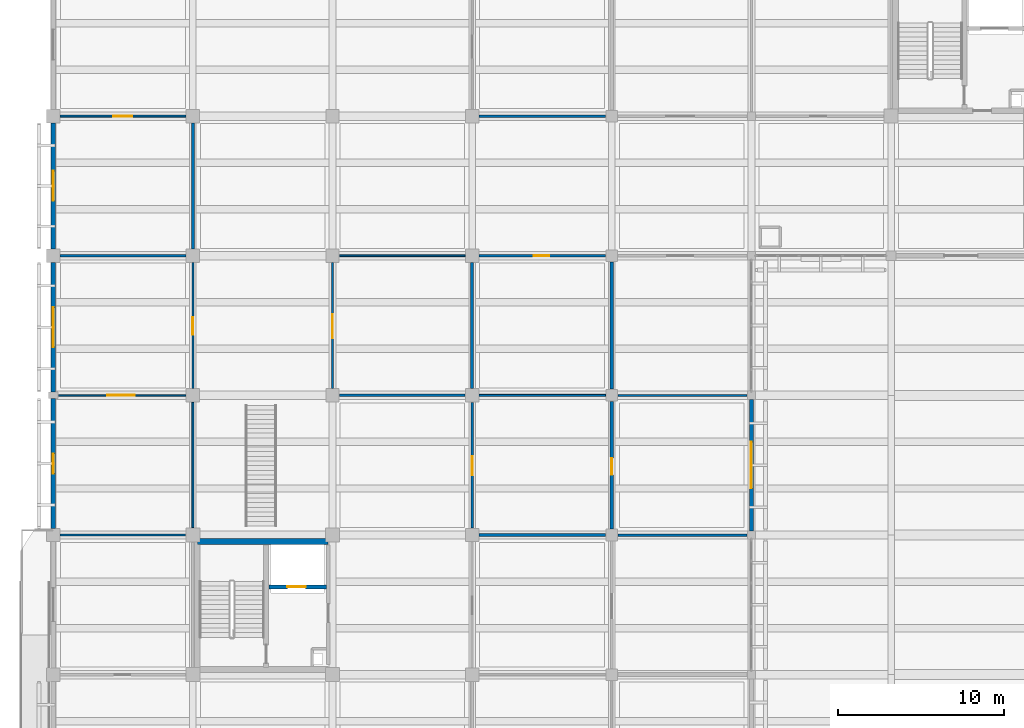
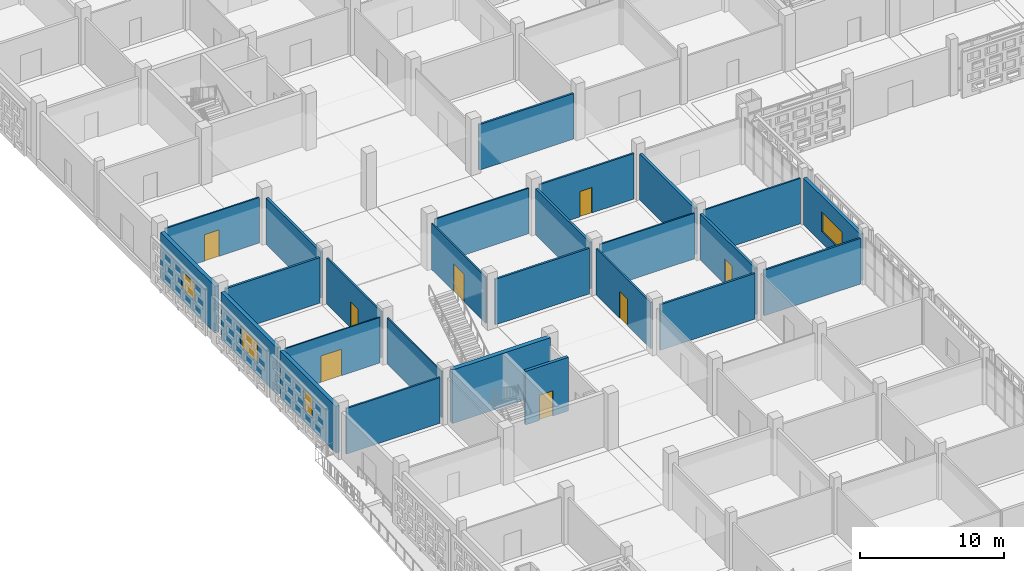
# One storey, part 62 of 129: 26 walls, 8 doors, 4 windows, 12 openings.
"""IFC4 building model written with IfcOpenShell, lengths in metres."""

from ifc_helpers import new_model, si_unit, direction, frame, frame_2d, origin, place, context, subcontext, project, spatial, rectangle, extrude, material, layer, layer_set, type_object, element, fill, save


model = new_model("IFC4")

# Units and contexts
model_context = context("Model", 3, precision=1e-05, world=origin(), true_north=direction((0.0, 1.0)))
body_context = subcontext(model_context, "Body", "Model", "MODEL_VIEW")
ifc_project = project(units=[si_unit("LENGTHUNIT", "METRE"), si_unit("AREAUNIT", "SQUARE_METRE"), si_unit("VOLUMEUNIT", "CUBIC_METRE"), si_unit("PLANEANGLEUNIT", "RADIAN"), si_unit("MASSUNIT", "GRAM", prefix="KILO")], contexts=[model_context])

# Site, building, storey
site_placement = place(None, origin())
site = spatial("IfcSite", under=ifc_project, at=site_placement, CompositionType="ELEMENT")
building_placement = place(site_placement, origin())
building = spatial("IfcBuilding", under=site, at=building_placement, Name="Varnapada Polytechnic", CompositionType="ELEMENT")
storey_placement = place(building_placement, origin())
storey = spatial("IfcBuildingStorey", under=building, at=storey_placement, Name="L00", CompositionType="ELEMENT", Elevation=0.0)

# Walls
ifc_material_1 = material(Name="Autoclaved Aerated Concrete Block AAC-600", Category="concrete")
ifc_layer_1 = layer(ifc_material_1, 0.14990234375)
ifc_layer_set_1 = layer_set([ifc_layer_1], Name="Autoclaved Aerated Concrete Block AAC-600")
wall_type_1 = type_object("IfcWallType", Name="Interior Wall IW-02", PredefinedType="PARTITIONING", material=ifc_layer_set_1)
wall_1_placement = place(storey_placement, frame((33.969970703125, 67.199951171875, 0.0), z_axis=(0.0, 0.0, 1.0), x_axis=(1.0, 0.0, 0.0)))
element("IfcWall", 1, at=wall_1_placement, inside=storey, type_object=wall_type_1, Name="L00 interior partition IW-L00-04-07-H", PredefinedType="PARTITIONING", context=body_context, shape_type="SweptSolid", body=[
    extrude(rectangle(XDim=7.760009765625, YDim=0.14990234375, at=frame_2d((3.8798828125, 0.0))), origin(), (0.0, 0.0, 1.0), 3.8701171875),
])
ifc_material_2 = material(Name="Gypsum Plasterboard Acoustic Partition")
ifc_layer_2 = layer(ifc_material_2, 0.125)
ifc_layer_set_2 = layer_set([ifc_layer_2], Name="Gypsum Plasterboard Acoustic Partition")
wall_type_2 = type_object("IfcWallType", Name="Interior Wall IW-03", PredefinedType="PARTITIONING", material=ifc_layer_set_2)
wall_2_placement = place(storey_placement, frame((33.969970703125, 75.60009765625, 0.0), z_axis=(0.0, 0.0, 1.0), x_axis=(1.0, 0.0, 0.0)))
element("IfcWall", 2, at=wall_2_placement, inside=storey, type_object=wall_type_2, Name="L00 interior partition IW-L00-04-08-H", PredefinedType="PARTITIONING", context=body_context, shape_type="SweptSolid", body=[
    extrude(rectangle(XDim=7.760009765625, YDim=0.125, at=frame_2d((3.8798828125, 0.0))), origin(), (0.0, 0.0, 1.0), 3.8701171875),
])
ifc_material_3 = material(Name="Moisture-Resistant Cement Board Partition")
ifc_layer_3 = layer(ifc_material_3, 0.139892578125)
ifc_layer_set_3 = layer_set([ifc_layer_3], Name="Moisture-Resistant Cement Board Partition")
wall_type_3 = type_object("IfcWallType", Name="Interior Wall IW-04", PredefinedType="PARTITIONING", material=ifc_layer_set_3)
wall_3_placement = place(storey_placement, frame((0.419921875, 67.199951171875, 0.0), z_axis=(0.0, 0.0, 1.0), x_axis=(1.0, 0.0, 0.0)))
element("IfcWall", 3, at=wall_3_placement, inside=storey, type_object=wall_type_3, Name="L00 interior partition IW-L00-00-07-H", PredefinedType="PARTITIONING", context=body_context, shape_type="SweptSolid", body=[
    extrude(rectangle(XDim=7.53515625, YDim=0.139892578125, at=frame_2d((3.767578125, 0.0))), origin(), (0.0, 0.0, 1.0), 3.8701171875),
])

# Wall, opening, door
wall_4_placement = place(storey_placement, frame((25.199951171875, 67.6201171875, 0.0), z_axis=(0.0, 0.0, 1.0), x_axis=(0.0, 1.0, 0.0)))
wall_4 = element("IfcWall", 4, at=wall_4_placement, inside=storey, type_object=wall_type_3, Name="L00 interior partition IW-L00-02-08-V", PredefinedType="PARTITIONING", context=body_context, shape_type="SweptSolid", body=[
    extrude(rectangle(XDim=7.559814453125, YDim=0.139892578125, at=frame_2d((3.77978515625, 0.0))), origin(), (0.0, 0.0, 1.0), 3.919921875),
])
opening_1_placement = place(wall_4_placement, frame((3.175048828125, 0.0, 0.0)))
opening_1 = element("IfcOpeningElement", 5, at=opening_1_placement, cuts=wall_4, Name="Opening D-841", PredefinedType="OPENING", context=body_context, shape_type="SweptSolid", body=[
    extrude(rectangle(XDim=1.14990234375, YDim=2.25, at=frame_2d((0.574951171875, 1.125))), frame((0.0, 0.079833984375, 0.0), z_axis=(0.0, -1.0, 0.0), x_axis=(1.0, 0.0, 0.0)), (0.0, 0.0, 1.0), 0.159912109375),
])
ifc_material_4 = material(Name="Powder-Coated Aluminium 6063-T6", Category="aluminium")
door_type_1 = type_object("IfcDoorType", Name="Interior Door ID-10", OperationType="NOTDEFINED", PredefinedType="DOOR", material=ifc_material_4)
door_1_placement = place(opening_1_placement, origin())
door_1 = element("IfcDoor", 6, at=door_1_placement, inside=storey, type_object=door_type_1, Name="L00 interior room door D-841", OperationType="SINGLE_SWING_RIGHT", OverallHeight=2.25, OverallWidth=1.14990234375, PredefinedType="DOOR", context=body_context, shape_type="SweptSolid", body=[
    extrude(rectangle(XDim=1.14990234375, YDim=2.25, at=frame_2d((0.574951171875, 1.125))), frame((0.0, 0.02490234375, 0.0), z_axis=(0.0, -1.0, 0.0), x_axis=(1.0, 0.0, 0.0)), (0.0, 0.0, 1.0), 0.050048828125),
])
fill(opening_1, door_1)

# Walls
ifc_material_5 = material(Name="Cross-laminated timber CLT C24", Category="wood")
ifc_layer_4 = layer(ifc_material_5, 0.159912109375)
ifc_layer_set_4 = layer_set([ifc_layer_4], Name="Cross-laminated timber CLT C24")
wall_type_4 = type_object("IfcWallType", Name="Interior Wall IW-05", PredefinedType="PARTITIONING", material=ifc_layer_set_4)
wall_5_placement = place(storey_placement, frame((17.219970703125, 75.60009765625, 0.0), z_axis=(0.0, 0.0, 1.0), x_axis=(1.0, 0.0, 0.0)))
element("IfcWall", 7, at=wall_5_placement, inside=storey, type_object=wall_type_4, Name="L00 interior partition IW-L00-02-08-H", PredefinedType="PARTITIONING", context=body_context, shape_type="SweptSolid", body=[
    extrude(rectangle(XDim=7.56005859375, YDim=0.159912109375, at=frame_2d((3.780029296875, 0.0))), origin(), (0.0, 0.0, 1.0), 3.8701171875),
])
ifc_material_6 = material(Name="Acoustic Double-Stud Studio Partition")
ifc_layer_5 = layer(ifc_material_6, 0.179931640625)
ifc_layer_set_5 = layer_set([ifc_layer_5], Name="Acoustic Double-Stud Studio Partition")
wall_type_5 = type_object("IfcWallType", Name="Interior Wall IW-06", PredefinedType="PARTITIONING", material=ifc_layer_set_5)
wall_6_placement = place(storey_placement, frame((25.199951171875, 76.02001953125, 0.0), z_axis=(0.0, 0.0, 1.0), x_axis=(0.0, 1.0, 0.0)))
element("IfcWall", 8, at=wall_6_placement, inside=storey, type_object=wall_type_5, Name="L00 interior partition IW-L00-02-09-V", PredefinedType="PARTITIONING", context=body_context, shape_type="SweptSolid", body=[
    extrude(rectangle(XDim=7.56005859375, YDim=0.179931640625, at=frame_2d((3.780029296875, 0.0))), origin(), (0.0, 0.0, 1.0), 3.919921875),
])
ifc_material_7 = material(Name="Glazed Timber-Framed Studio Screen", Category="wood")
ifc_layer_6 = layer(ifc_material_7, 0.110107421875)
ifc_layer_set_6 = layer_set([ifc_layer_6], Name="Glazed Timber-Framed Studio Screen")
wall_type_6 = type_object("IfcWallType", Name="Interior Wall IW-07", PredefinedType="PARTITIONING", material=ifc_layer_set_6)
wall_7_placement = place(storey_placement, frame((8.39990234375, 67.64501953125, 0.0), z_axis=(0.0, 0.0, 1.0), x_axis=(0.0, 1.0, 0.0)))
element("IfcWall", 9, at=wall_7_placement, inside=storey, type_object=wall_type_6, Name="L00 interior partition IW-L00-00-08-V", PredefinedType="PARTITIONING", context=body_context, shape_type="SweptSolid", body=[
    extrude(rectangle(XDim=7.534912109375, YDim=0.110107421875, at=frame_2d((3.767578125, 0.0))), origin(), (0.0, 0.0, 1.0), 3.919921875),
])

# Wall, opening, door
wall_8_placement = place(storey_placement, frame((16.800048828125, 76.02001953125, 0.0), z_axis=(0.0, 0.0, 1.0), x_axis=(0.0, 1.0, 0.0)))
wall_8 = element("IfcWall", 10, at=wall_8_placement, inside=storey, type_object=wall_type_6, Name="L00 interior partition IW-L00-01-09-V", PredefinedType="PARTITIONING", context=body_context, shape_type="SweptSolid", body=[
    extrude(rectangle(XDim=7.56005859375, YDim=0.110107421875, at=frame_2d((3.780029296875, 0.0))), origin(), (0.0, 0.0, 1.0), 3.919921875),
])
opening_2_placement = place(wall_8_placement, frame((3.02490234375, 0.0, 0.0)))
opening_2 = element("IfcOpeningElement", 11, at=opening_2_placement, cuts=wall_8, Name="Opening D-832", PredefinedType="OPENING", context=body_context, shape_type="SweptSolid", body=[
    extrude(rectangle(XDim=1.449951171875, YDim=2.35009765625, at=frame_2d((0.72509765625, 1.175048828125))), frame((0.0, 0.06494140625, 0.0), z_axis=(0.0, -1.0, 0.0), x_axis=(1.0, 0.0, 0.0)), (0.0, 0.0, 1.0), 0.130126953125),
])
ifc_material_8 = material(Name="Galvanized Steel Z275", Category="steel")
door_type_2 = type_object("IfcDoorType", Name="Interior Door ID-18", OperationType="NOTDEFINED", PredefinedType="DOOR", material=ifc_material_8)
door_2_placement = place(opening_2_placement, origin())
door_2 = element("IfcDoor", 12, at=door_2_placement, inside=storey, type_object=door_type_2, Name="L00 interior room door D-832", OperationType="SINGLE_SWING_LEFT", OverallHeight=2.35009765625, OverallWidth=1.449951171875, PredefinedType="DOOR", context=body_context, shape_type="SweptSolid", body=[
    extrude(rectangle(XDim=1.449951171875, YDim=2.35009765625, at=frame_2d((0.72509765625, 1.175048828125))), frame((0.0, 0.02490234375, 0.0), z_axis=(0.0, -1.0, 0.0), x_axis=(1.0, 0.0, 0.0)), (0.0, 0.0, 1.0), 0.050048828125),
])
fill(opening_2, door_2)

# Wall
wall_9_placement = place(storey_placement, frame((17.219970703125, 84.0, 0.0), z_axis=(0.0, 0.0, 1.0), x_axis=(1.0, 0.0, 0.0)))
element("IfcWall", 13, at=wall_9_placement, inside=storey, type_object=wall_type_6, Name="L00 interior partition IW-L00-02-09-H", PredefinedType="PARTITIONING", context=body_context, shape_type="SweptSolid", body=[
    extrude(rectangle(XDim=7.56005859375, YDim=0.110107421875, at=frame_2d((3.780029296875, 0.0))), origin(), (0.0, 0.0, 1.0), 3.8701171875),
])

# Wall, opening, door
ifc_material_9 = material(Name="Operable Acoustic Seminar Partition")
ifc_layer_7 = layer(ifc_material_9, 0.10009765625)
ifc_layer_set_7 = layer_set([ifc_layer_7], Name="Operable Acoustic Seminar Partition")
wall_type_7 = type_object("IfcWallType", Name="Interior Wall IW-08", PredefinedType="MOVABLE", material=ifc_layer_set_7)
wall_10_placement = place(storey_placement, frame((0.320068359375, 75.60009765625, 0.0), z_axis=(0.0, 0.0, 1.0), x_axis=(1.0, 0.0, 0.0)))
wall_10 = element("IfcWall", 14, at=wall_10_placement, inside=storey, type_object=wall_type_7, Name="L00 interior partition IW-L00-00-08-H", PredefinedType="MOVABLE", context=body_context, shape_type="SweptSolid", body=[
    extrude(rectangle(XDim=7.659912109375, YDim=0.10009765625, at=frame_2d((3.830078125, 0.0))), origin(), (0.0, 0.0, 1.0), 3.8701171875),
])
opening_3_placement = place(wall_10_placement, frame((2.925048828125, 0.0, 0.0)))
opening_3 = element("IfcOpeningElement", 15, at=opening_3_placement, cuts=wall_10, Name="Opening D-822", PredefinedType="OPENING", context=body_context, shape_type="SweptSolid", body=[
    extrude(rectangle(XDim=1.64990234375, YDim=2.25, at=frame_2d((0.824951171875, 1.125))), frame((0.0, 0.06005859375, 0.0), z_axis=(0.0, -1.0, 0.0), x_axis=(1.0, 0.0, 0.0)), (0.0, 0.0, 1.0), 0.1201171875),
])
ifc_material_10 = material(Name="Solid Teak Hardwood Timber", Category="wood")
door_type_3 = type_object("IfcDoorType", Name="Interior Door ID-08", OperationType="NOTDEFINED", PredefinedType="DOOR", material=ifc_material_10)
door_3_placement = place(opening_3_placement, origin())
door_3 = element("IfcDoor", 16, at=door_3_placement, inside=storey, type_object=door_type_3, Name="L00 interior room door D-822", OperationType="SINGLE_SWING_LEFT", OverallHeight=2.25, OverallWidth=1.64990234375, PredefinedType="DOOR", context=body_context, shape_type="SweptSolid", body=[
    extrude(rectangle(XDim=1.64990234375, YDim=2.25, at=frame_2d((0.824951171875, 1.125))), frame((0.0, 0.02490234375, 0.0), z_axis=(0.0, -1.0, 0.0), x_axis=(1.0, 0.0, 0.0)), (0.0, 0.0, 1.0), 0.050048828125),
])
fill(opening_3, door_3)

ifc_material_11 = material(Name="Calcium Silicate Acoustic Lab Partition")
ifc_layer_8 = layer(ifc_material_11, 0.135009765625)
ifc_layer_set_8 = layer_set([ifc_layer_8], Name="Calcium Silicate Acoustic Lab Partition")
wall_type_8 = type_object("IfcWallType", Name="Interior Wall IW-09", PredefinedType="PARTITIONING", material=ifc_layer_set_8)
wall_11_placement = place(storey_placement, frame((8.39990234375, 76.02001953125, 0.0), z_axis=(0.0, 0.0, 1.0), x_axis=(0.0, 1.0, 0.0)))
wall_11 = element("IfcWall", 17, at=wall_11_placement, inside=storey, type_object=wall_type_8, Name="L00 interior partition IW-L00-00-09-V", PredefinedType="PARTITIONING", context=body_context, shape_type="SweptSolid", body=[
    extrude(rectangle(XDim=7.56005859375, YDim=0.135009765625, at=frame_2d((3.780029296875, 0.0))), origin(), (0.0, 0.0, 1.0), 3.919921875),
])
opening_4_placement = place(wall_11_placement, frame((3.22509765625, 0.0, 0.0)))
opening_4 = element("IfcOpeningElement", 18, at=opening_4_placement, cuts=wall_11, Name="Opening D-823", PredefinedType="OPENING", context=body_context, shape_type="SweptSolid", body=[
    extrude(rectangle(XDim=1.050048828125, YDim=2.199951171875, at=frame_2d((0.52490234375, 1.10009765625))), frame((0.0, 0.077392578125, 0.0), z_axis=(0.0, -1.0, 0.0), x_axis=(1.0, 0.0, 0.0)), (0.0, 0.0, 1.0), 0.155029296875),
])
door_type_4 = type_object("IfcDoorType", Name="Interior Door ID-09", OperationType="NOTDEFINED", PredefinedType="DOOR", material=ifc_material_10)
door_4_placement = place(opening_4_placement, origin())
door_4 = element("IfcDoor", 19, at=door_4_placement, inside=storey, type_object=door_type_4, Name="L00 interior room door D-823", OperationType="SINGLE_SWING_RIGHT", OverallHeight=2.199951171875, OverallWidth=1.050048828125, PredefinedType="DOOR", context=body_context, shape_type="SweptSolid", body=[
    extrude(rectangle(XDim=1.050048828125, YDim=2.199951171875, at=frame_2d((0.52490234375, 1.10009765625))), frame((0.0, 0.02490234375, 0.0), z_axis=(0.0, -1.0, 0.0), x_axis=(1.0, 0.0, 0.0)), (0.0, 0.0, 1.0), 0.050048828125),
])
fill(opening_4, door_4)

# Walls
ifc_material_12 = material(Name="Double-Layer Fireboard Workshop Wall")
ifc_layer_9 = layer(ifc_material_12, 0.169921875)
ifc_layer_set_9 = layer_set([ifc_layer_9], Name="Double-Layer Fireboard Workshop Wall")
wall_type_9 = type_object("IfcWallType", Name="Interior Wall IW-10", PredefinedType="PARTITIONING", material=ifc_layer_set_9)
wall_12_placement = place(storey_placement, frame((0.419921875, 84.0, 0.0), z_axis=(0.0, 0.0, 1.0), x_axis=(1.0, 0.0, 0.0)))
element("IfcWall", 20, at=wall_12_placement, inside=storey, type_object=wall_type_9, Name="L00 interior partition IW-L00-00-09-H", PredefinedType="PARTITIONING", context=body_context, shape_type="SweptSolid", body=[
    extrude(rectangle(XDim=7.56005859375, YDim=0.169921875, at=frame_2d((3.780029296875, 0.0))), origin(), (0.0, 0.0, 1.0), 3.8701171875),
])
wall_13_placement = place(storey_placement, frame((25.6201171875, 67.199951171875, 0.0), z_axis=(0.0, 0.0, 1.0), x_axis=(1.0, 0.0, 0.0)))
element("IfcWall", 21, at=wall_13_placement, inside=storey, type_object=wall_type_9, Name="L00 interior partition IW-L00-03-07-H", PredefinedType="PARTITIONING", context=body_context, shape_type="SweptSolid", body=[
    extrude(rectangle(XDim=7.60986328125, YDim=0.169921875, at=frame_2d((3.804931640625, 0.0))), origin(), (0.0, 0.0, 1.0), 3.8701171875),
])
ifc_material_13 = material(Name="Insulated Masonry Plant Room Wall", Category="masonry")
ifc_layer_10 = layer(ifc_material_13, 0.18994140625)
ifc_layer_set_10 = layer_set([ifc_layer_10], Name="Insulated Masonry Plant Room Wall")
wall_type_10 = type_object("IfcWallType", Name="Interior Wall IW-11", PredefinedType="PARTITIONING", material=ifc_layer_set_10)
wall_14_placement = place(storey_placement, frame((8.39990234375, 84.419921875, 0.0), z_axis=(0.0, 0.0, 1.0), x_axis=(0.0, 1.0, 0.0)))
element("IfcWall", 22, at=wall_14_placement, inside=storey, type_object=wall_type_10, Name="L00 interior partition IW-L00-00-10-V", PredefinedType="PARTITIONING", context=body_context, shape_type="SweptSolid", body=[
    extrude(rectangle(XDim=7.56005859375, YDim=0.18994140625, at=frame_2d((3.780029296875, 0.0))), origin(), (0.0, 0.0, 1.0), 3.919921875),
])

# Wall, opening, door
wall_15_placement = place(storey_placement, frame((33.60009765625, 67.570068359375, 0.0), z_axis=(0.0, 0.0, 1.0), x_axis=(0.0, 1.0, 0.0)))
wall_15 = element("IfcWall", 23, at=wall_15_placement, inside=storey, type_object=wall_type_10, Name="L00 interior partition IW-L00-03-08-V", PredefinedType="PARTITIONING", context=body_context, shape_type="SweptSolid", body=[
    extrude(rectangle(XDim=7.659912109375, YDim=0.18994140625, at=frame_2d((3.830078125, 0.0))), origin(), (0.0, 0.0, 1.0), 3.919921875),
])
opening_5_placement = place(wall_15_placement, frame((3.25, 0.0, 0.0)))
opening_5 = element("IfcOpeningElement", 24, at=opening_5_placement, cuts=wall_15, Name="Opening D-850", PredefinedType="OPENING", context=body_context, shape_type="SweptSolid", body=[
    extrude(rectangle(XDim=1.0, YDim=2.14990234375, at=frame_2d((0.5, 1.074951171875))), frame((0.0, 0.10498046875, 0.0), z_axis=(0.0, -1.0, 0.0), x_axis=(1.0, 0.0, 0.0)), (0.0, 0.0, 1.0), 0.2099609375),
])
door_type_5 = type_object("IfcDoorType", Name="Interior Door ID-02", OperationType="NOTDEFINED", PredefinedType="DOOR", material=ifc_material_10)
door_5_placement = place(opening_5_placement, origin())
door_5 = element("IfcDoor", 25, at=door_5_placement, inside=storey, type_object=door_type_5, Name="L00 interior room door D-850", OperationType="SINGLE_SWING_LEFT", OverallHeight=2.14990234375, OverallWidth=1.0, PredefinedType="DOOR", context=body_context, shape_type="SweptSolid", body=[
    extrude(rectangle(XDim=1.0, YDim=2.14990234375, at=frame_2d((0.5, 1.074951171875))), frame((0.0, 0.02490234375, 0.0), z_axis=(0.0, -1.0, 0.0), x_axis=(1.0, 0.0, 0.0)), (0.0, 0.0, 1.0), 0.050048828125),
])
fill(opening_5, door_5)

ifc_material_14 = material(Name="Timber-Stud Studio Critique Partition", Category="wood")
ifc_layer_11 = layer(ifc_material_14, 0.114990234375)
ifc_layer_set_11 = layer_set([ifc_layer_11], Name="Timber-Stud Studio Critique Partition")
wall_type_11 = type_object("IfcWallType", Name="Interior Wall IW-12", PredefinedType="PARTITIONING", material=ifc_layer_set_11)
wall_16_placement = place(storey_placement, frame((0.419921875, 92.39990234375, 0.0), z_axis=(0.0, 0.0, 1.0), x_axis=(1.0, 0.0, 0.0)))
wall_16 = element("IfcWall", 26, at=wall_16_placement, inside=storey, type_object=wall_type_11, Name="L00 interior partition IW-L00-00-10-H", PredefinedType="PARTITIONING", context=body_context, shape_type="SweptSolid", body=[
    extrude(rectangle(XDim=7.56005859375, YDim=0.114990234375, at=frame_2d((3.780029296875, 0.0))), origin(), (0.0, 0.0, 1.0), 3.8701171875),
])
opening_6_placement = place(wall_16_placement, frame((3.175048828125, 0.0, 0.0)))
opening_6 = element("IfcOpeningElement", 27, at=opening_6_placement, cuts=wall_16, Name="Opening D-824", PredefinedType="OPENING", context=body_context, shape_type="SweptSolid", body=[
    extrude(rectangle(XDim=1.14990234375, YDim=2.25, at=frame_2d((0.574951171875, 1.125))), frame((0.0, 0.0673828125, 0.0), z_axis=(0.0, -1.0, 0.0), x_axis=(1.0, 0.0, 0.0)), (0.0, 0.0, 1.0), 0.135009765625),
])
door_6_placement = place(opening_6_placement, frame((1.14990234375, 0.0, 0.0), z_axis=(0.0, 0.0, 1.0), x_axis=(-1.0, 0.0, 0.0)))
door_6 = element("IfcDoor", 28, at=door_6_placement, inside=storey, type_object=door_type_1, Name="L00 interior room door D-824", OperationType="SINGLE_SWING_LEFT", OverallHeight=2.25, OverallWidth=1.14990234375, PredefinedType="DOOR", context=body_context, shape_type="SweptSolid", body=[
    extrude(rectangle(XDim=1.14990234375, YDim=2.25, at=frame_2d((0.574951171875, 1.125))), frame((0.0, 0.02490234375, 0.0), z_axis=(0.0, -1.0, 0.0), x_axis=(1.0, 0.0, 0.0)), (0.0, 0.0, 1.0), 0.050048828125),
])
fill(opening_6, door_6)

# Walls
wall_17_placement = place(storey_placement, frame((25.6201171875, 75.60009765625, 0.0), z_axis=(0.0, 0.0, 1.0), x_axis=(1.0, 0.0, 0.0)))
element("IfcWall", 29, at=wall_17_placement, inside=storey, type_object=wall_type_11, Name="L00 interior partition IW-L00-03-08-H", PredefinedType="PARTITIONING", context=body_context, shape_type="SweptSolid", body=[
    extrude(rectangle(XDim=7.60986328125, YDim=0.114990234375, at=frame_2d((3.804931640625, 0.0))), origin(), (0.0, 0.0, 1.0), 3.8701171875),
])
ifc_material_15 = material(Name="Heavy Acoustic Auditorium Baffle Wall")
ifc_layer_12 = layer(ifc_material_15, 0.219970703125)
ifc_layer_set_12 = layer_set([ifc_layer_12], Name="Heavy Acoustic Auditorium Baffle Wall")
wall_type_12 = type_object("IfcWallType", Name="Interior Wall IW-13", PredefinedType="PARTITIONING", material=ifc_layer_set_12)
wall_18_placement = place(storey_placement, frame((33.60009765625, 75.969970703125, 0.0), z_axis=(0.0, 0.0, 1.0), x_axis=(0.0, 1.0, 0.0)))
element("IfcWall", 30, at=wall_18_placement, inside=storey, type_object=wall_type_12, Name="L00 interior partition IW-L00-03-09-V", PredefinedType="PARTITIONING", context=body_context, shape_type="SweptSolid", body=[
    extrude(rectangle(XDim=7.659912109375, YDim=0.219970703125, at=frame_2d((3.830078125, 0.0))), origin(), (0.0, 0.0, 1.0), 3.919921875),
])

# Wall, opening, door
ifc_material_16 = material(Name="Ceramic-Tiled Wet Laboratory Wall")
ifc_layer_13 = layer(ifc_material_16, 0.14501953125)
ifc_layer_set_13 = layer_set([ifc_layer_13], Name="Ceramic-Tiled Wet Laboratory Wall")
wall_type_13 = type_object("IfcWallType", Name="Interior Wall IW-14", PredefinedType="PARTITIONING", material=ifc_layer_set_13)
wall_19_placement = place(storey_placement, frame((25.6201171875, 84.0, 0.0), z_axis=(0.0, 0.0, 1.0), x_axis=(1.0, 0.0, 0.0)))
wall_19 = element("IfcWall", 31, at=wall_19_placement, inside=storey, type_object=wall_type_13, Name="L00 interior partition IW-L00-03-09-H", PredefinedType="PARTITIONING", context=body_context, shape_type="SweptSolid", body=[
    extrude(rectangle(XDim=7.60986328125, YDim=0.14501953125, at=frame_2d((3.804931640625, 0.0))), origin(), (0.0, 0.0, 1.0), 3.8701171875),
])
opening_7_placement = place(wall_19_placement, frame((3.27490234375, 0.0, 0.0)))
opening_7 = element("IfcOpeningElement", 32, at=opening_7_placement, cuts=wall_19, Name="Opening D-851", PredefinedType="OPENING", context=body_context, shape_type="SweptSolid", body=[
    extrude(rectangle(XDim=0.949951171875, YDim=2.14990234375, at=frame_2d((0.47509765625, 1.074951171875))), frame((0.0, 0.08251953125, 0.0), z_axis=(0.0, -1.0, 0.0), x_axis=(1.0, 0.0, 0.0)), (0.0, 0.0, 1.0), 0.1650390625),
])
ifc_material_17 = material(Name="Moisture-Resistant HPL Timber", Category="wood")
door_type_6 = type_object("IfcDoorType", Name="Interior Door ID-03", OperationType="NOTDEFINED", PredefinedType="DOOR", material=ifc_material_17)
door_7_placement = place(opening_7_placement, frame((0.949951171875, 0.0, 0.0), z_axis=(0.0, 0.0, 1.0), x_axis=(-1.0, 0.0, 0.0)))
door_7 = element("IfcDoor", 33, at=door_7_placement, inside=storey, type_object=door_type_6, Name="L00 interior room door D-851", OperationType="SINGLE_SWING_RIGHT", OverallHeight=2.14990234375, OverallWidth=0.949951171875, PredefinedType="DOOR", context=body_context, shape_type="SweptSolid", body=[
    extrude(rectangle(XDim=0.949951171875, YDim=2.14990234375, at=frame_2d((0.47509765625, 1.074951171875))), frame((0.0, 0.02490234375, 0.0), z_axis=(0.0, -1.0, 0.0), x_axis=(1.0, 0.0, 0.0)), (0.0, 0.0, 1.0), 0.050048828125),
])
fill(opening_7, door_7)

# Walls
ifc_material_18 = material(Name="Perforated Timber-Lined Seminar Wall", Category="wood")
ifc_layer_14 = layer(ifc_material_18, 0.155029296875)
ifc_layer_set_14 = layer_set([ifc_layer_14], Name="Perforated Timber-Lined Seminar Wall")
wall_type_14 = type_object("IfcWallType", Name="Interior Wall IW-15", PredefinedType="PARTITIONING", material=ifc_layer_set_14)
wall_20_placement = place(storey_placement, frame((25.6201171875, 92.39990234375, 0.0), z_axis=(0.0, 0.0, 1.0), x_axis=(1.0, 0.0, 0.0)))
element("IfcWall", 34, at=wall_20_placement, inside=storey, type_object=wall_type_14, Name="L00 interior partition IW-L00-03-10-H", PredefinedType="PARTITIONING", context=body_context, shape_type="SweptSolid", body=[
    extrude(rectangle(XDim=7.60986328125, YDim=0.155029296875, at=frame_2d((3.804931640625, 0.0))), origin(), (0.0, 0.0, 1.0), 3.8701171875),
])
ifc_material_19 = material(Name="Concrete C40/50", Category="concrete")
ifc_layer_15 = layer(ifc_material_19, 0.35009765625)
ifc_layer_set_15 = layer_set([ifc_layer_15], Name="Concrete C40/50")
wall_type_15 = type_object("IfcWallType", Name="Interior Wall SW-01", PredefinedType="SHEAR", material=ifc_layer_set_15)
wall_21_placement = place(storey_placement, frame((8.6650390625, 66.820068359375, 0.0), z_axis=(0.0, 0.0, 1.0), x_axis=(1.0, 0.0, 0.0)))
element("IfcWall", 35, at=wall_21_placement, inside=storey, type_object=wall_type_15, Name="L00 C2 core north shear wall", PredefinedType="SHEAR", context=body_context, shape_type="SweptSolid", body=[
    extrude(rectangle(XDim=7.875, YDim=0.35009765625, at=frame_2d((3.9375, 0.0))), origin(), (0.0, 0.0, 1.0), 4.550048828125),
])

# Wall, opening, door
ifc_layer_16 = layer(ifc_material_19, 0.25)
ifc_layer_set_16 = layer_set([ifc_layer_16], Name="Concrete C40/50")
wall_type_16 = type_object("IfcWallType", Name="Interior Wall SW-05", PredefinedType="SHEAR", material=ifc_layer_set_16)
wall_22_placement = place(storey_placement, frame((12.97998046875, 64.080078125, 0.0), z_axis=(0.0, 0.0, 1.0), x_axis=(1.0, 0.0, 0.0)))
wall_22 = element("IfcWall", 36, at=wall_22_placement, inside=storey, type_object=wall_type_16, Name="L00 C2 lift shaft front wall", PredefinedType="SHEAR", context=body_context, shape_type="SweptSolid", body=[
    extrude(rectangle(XDim=3.4599609375, YDim=0.25, at=frame_2d((1.72998046875, 0.0))), origin(), (0.0, 0.0, 1.0), 4.550048828125),
])
opening_8_placement = place(wall_22_placement, frame((1.10009765625, 0.0, 0.0)))
opening_8 = element("IfcOpeningElement", 37, at=opening_8_placement, cuts=wall_22, Name="Opening LD-007", PredefinedType="OPENING", context=body_context, shape_type="SweptSolid", body=[
    extrude(rectangle(XDim=1.10009765625, YDim=2.14990234375, at=frame_2d((0.550048828125, 1.074951171875))), frame((0.0, 0.135009765625, 0.0), z_axis=(0.0, -1.0, 0.0), x_axis=(1.0, 0.0, 0.0)), (0.0, 0.0, 1.0), 0.27001953125),
])
ifc_material_20 = material(Name="Brushed Stainless Steel 316", Category="steel")
door_type_7 = type_object("IfcDoorType", Name="Interior Door LD-01", OperationType="NOTDEFINED", PredefinedType="DOOR", material=ifc_material_20)
door_8_placement = place(opening_8_placement, origin())
door_8 = element("IfcDoor", 38, at=door_8_placement, inside=storey, type_object=door_type_7, Name="L00 LFT-02 sliding lift landing door LD-007", OperationType="DOUBLE_DOOR_SLIDING", OverallHeight=2.14990234375, OverallWidth=1.10009765625, PredefinedType="DOOR", context=body_context, shape_type="SweptSolid", body=[
    extrude(rectangle(XDim=1.10009765625, YDim=2.14990234375, at=frame_2d((0.550048828125, 1.074951171875))), frame((0.0, 0.02490234375, 0.0), z_axis=(0.0, -1.0, 0.0), x_axis=(1.0, 0.0, 0.0)), (0.0, 0.0, 1.0), 0.050048828125),
])
fill(opening_8, door_8)

# Wall, opening, window
ifc_material_21 = material(Name="Precast concrete C40/50", Category="concrete")
ifc_layer_17 = layer(ifc_material_21, 0.300048828125)
ifc_layer_set_17 = layer_set([ifc_layer_17], Name="Precast concrete C40/50")
wall_type_17 = type_object("IfcWallType", Name="Wall EW-01", PredefinedType="SOLIDWALL", material=ifc_layer_set_17)
wall_23_placement = place(storey_placement, frame((0.0, 67.60009765625, 0.0), z_axis=(0.0, 0.0, 1.0), x_axis=(0.0, 1.0, 0.0)))
wall_23 = element("IfcWall", 39, at=wall_23_placement, inside=storey, type_object=wall_type_17, Name="L00 exterior wall EW-01 (5)", PredefinedType="SOLIDWALL", context=body_context, shape_type="SweptSolid", body=[
    extrude(rectangle(XDim=7.7998046875, YDim=0.300048828125, at=frame_2d((3.89990234375, 0.0))), origin(), (0.0, 0.0, 1.0), 3.9599609375),
])
opening_9_placement = place(wall_23_placement, frame((3.300048828125, 0.0, 0.949951171875)))
opening_9 = element("IfcOpeningElement", 40, at=opening_9_placement, cuts=wall_23, Name="Opening WN-01", PredefinedType="OPENING", context=body_context, shape_type="SweptSolid", body=[
    extrude(rectangle(XDim=1.199951171875, YDim=1.800048828125, at=frame_2d((0.60009765625, 0.89990234375))), frame((0.0, 0.159912109375, 0.0), z_axis=(0.0, -1.0, 0.0), x_axis=(1.0, 0.0, 0.0)), (0.0, 0.0, 1.0), 0.320068359375),
])
ifc_material_22 = material(Name="Double low-E laminated glass", Category="glass")
window_type_1 = type_object("IfcWindowType", Name="Window WN-01", PartitioningType="SINGLE_PANEL", PredefinedType="WINDOW", material=ifc_material_22)
window_1_placement = place(opening_9_placement, origin())
window_1 = element("IfcWindow", 41, at=window_1_placement, inside=storey, type_object=window_type_1, Name="L00 window WN-01 (4)", OverallHeight=1.800048828125, OverallWidth=1.199951171875, PartitioningType="SINGLE_PANEL", PredefinedType="WINDOW", context=body_context, shape_type="SweptSolid", body=[
    extrude(rectangle(XDim=1.199951171875, YDim=1.800048828125, at=frame_2d((0.60009765625, 0.89990234375))), frame((0.0, 0.030029296875, 0.0), z_axis=(0.0, -1.0, 0.0), x_axis=(1.0, 0.0, 0.0)), (0.0, 0.0, 1.0), 0.06005859375),
])
fill(opening_9, window_1)

wall_24_placement = place(storey_placement, frame((0.0, 75.800048828125, 0.0), z_axis=(0.0, 0.0, 1.0), x_axis=(0.0, 1.0, 0.0)))
wall_24 = element("IfcWall", 42, at=wall_24_placement, inside=storey, type_object=wall_type_17, Name="L00 exterior wall EW-01 (6)", PredefinedType="SOLIDWALL", context=body_context, shape_type="SweptSolid", body=[
    extrude(rectangle(XDim=7.800048828125, YDim=0.300048828125, at=frame_2d((3.89990234375, 0.0))), origin(), (0.0, 0.0, 1.0), 3.9599609375),
])
opening_10_placement = place(wall_24_placement, frame((2.699951171875, 0.0, 0.949951171875)))
opening_10 = element("IfcOpeningElement", 43, at=opening_10_placement, cuts=wall_24, Name="Opening WN-02", PredefinedType="OPENING", context=body_context, shape_type="SweptSolid", body=[
    extrude(rectangle(XDim=2.39990234375, YDim=1.800048828125, at=frame_2d((1.199951171875, 0.89990234375))), frame((0.0, 0.159912109375, 0.0), z_axis=(0.0, -1.0, 0.0), x_axis=(1.0, 0.0, 0.0)), (0.0, 0.0, 1.0), 0.320068359375),
])
window_type_2 = type_object("IfcWindowType", Name="Window WN-02", PartitioningType="SINGLE_PANEL", PredefinedType="WINDOW", material=ifc_material_22)
window_2_placement = place(opening_10_placement, origin())
window_2 = element("IfcWindow", 44, at=window_2_placement, inside=storey, type_object=window_type_2, Name="L00 window WN-02 (5)", OverallHeight=1.800048828125, OverallWidth=2.39990234375, PartitioningType="SINGLE_PANEL", PredefinedType="WINDOW", context=body_context, shape_type="SweptSolid", body=[
    extrude(rectangle(XDim=2.39990234375, YDim=1.800048828125, at=frame_2d((1.199951171875, 0.89990234375))), frame((0.0, 0.030029296875, 0.0), z_axis=(0.0, -1.0, 0.0), x_axis=(1.0, 0.0, 0.0)), (0.0, 0.0, 1.0), 0.06005859375),
])
fill(opening_10, window_2)

wall_25_placement = place(storey_placement, frame((0.0, 84.39990234375, 0.0), z_axis=(0.0, 0.0, 1.0), x_axis=(0.0, 1.0, 0.0)))
wall_25 = element("IfcWall", 45, at=wall_25_placement, inside=storey, type_object=wall_type_17, Name="L00 exterior wall EW-01 (7)", PredefinedType="SOLIDWALL", context=body_context, shape_type="SweptSolid", body=[
    extrude(rectangle(XDim=7.60009765625, YDim=0.300048828125, at=frame_2d((3.800048828125, 0.0))), origin(), (0.0, 0.0, 1.0), 3.9599609375),
])
opening_11_placement = place(wall_25_placement, frame((2.89990234375, 0.0, 0.949951171875)))
opening_11 = element("IfcOpeningElement", 46, at=opening_11_placement, cuts=wall_25, Name="Opening WN-05", PredefinedType="OPENING", context=body_context, shape_type="SweptSolid", body=[
    extrude(rectangle(XDim=1.800048828125, YDim=1.5, at=frame_2d((0.89990234375, 0.75))), frame((0.0, 0.159912109375, 0.0), z_axis=(0.0, -1.0, 0.0), x_axis=(1.0, 0.0, 0.0)), (0.0, 0.0, 1.0), 0.320068359375),
])
window_type_3 = type_object("IfcWindowType", Name="Window WN-05", PartitioningType="SINGLE_PANEL", PredefinedType="WINDOW", material=ifc_material_22)
window_3_placement = place(opening_11_placement, origin())
window_3 = element("IfcWindow", 47, at=window_3_placement, inside=storey, type_object=window_type_3, Name="L00 window WN-05 (6)", OverallHeight=1.5, OverallWidth=1.800048828125, PartitioningType="SINGLE_PANEL", PredefinedType="WINDOW", context=body_context, shape_type="SweptSolid", body=[
    extrude(rectangle(XDim=1.800048828125, YDim=1.5, at=frame_2d((0.89990234375, 0.75))), frame((0.0, 0.030029296875, 0.0), z_axis=(0.0, -1.0, 0.0), x_axis=(1.0, 0.0, 0.0)), (0.0, 0.0, 1.0), 0.06005859375),
])
fill(opening_11, window_3)

ifc_layer_18 = layer(ifc_material_21, 0.260009765625)
ifc_layer_set_18 = layer_set([ifc_layer_18], Name="Precast concrete C40/50")
wall_type_18 = type_object("IfcWallType", Name="Wall EW-03", PredefinedType="SOLIDWALL", material=ifc_layer_set_18)
wall_26_placement = place(storey_placement, frame((42.0, 75.35009765625, 0.0), z_axis=(0.0, 0.0, 1.0), x_axis=(0.0, -1.0, 0.0)))
wall_26 = element("IfcWall", 48, at=wall_26_placement, inside=storey, type_object=wall_type_18, Name="L00 exterior wall EW-03 (28)", PredefinedType="SOLIDWALL", context=body_context, shape_type="SweptSolid", body=[
    extrude(rectangle(XDim=7.900146484375, YDim=0.260009765625, at=frame_2d((3.9501953125, 0.0))), origin(), (0.0, 0.0, 1.0), 3.9599609375),
])
opening_12_placement = place(wall_26_placement, frame((2.550048828125, 0.0, 0.949951171875)))
opening_12 = element("IfcOpeningElement", 49, at=opening_12_placement, cuts=wall_26, Name="Opening WN-13", PredefinedType="OPENING", context=body_context, shape_type="SweptSolid", body=[
    extrude(rectangle(XDim=2.800048828125, YDim=1.64990234375, at=frame_2d((1.39990234375, 0.824951171875))), frame((0.0, 0.139892578125, 0.0), z_axis=(0.0, -1.0, 0.0), x_axis=(1.0, 0.0, 0.0)), (0.0, 0.0, 1.0), 0.280029296875),
])
window_type_4 = type_object("IfcWindowType", Name="Window WN-13", PartitioningType="SINGLE_PANEL", PredefinedType="WINDOW", material=ifc_material_22)
window_4_placement = place(opening_12_placement, origin())
window_4 = element("IfcWindow", 50, at=window_4_placement, inside=storey, type_object=window_type_4, Name="L00 window WN-13 (21)", OverallHeight=1.64990234375, OverallWidth=2.800048828125, PartitioningType="SINGLE_PANEL", PredefinedType="WINDOW", context=body_context, shape_type="SweptSolid", body=[
    extrude(rectangle(XDim=2.800048828125, YDim=1.64990234375, at=frame_2d((1.39990234375, 0.824951171875))), frame((0.0, 0.030029296875, 0.0), z_axis=(0.0, -1.0, 0.0), x_axis=(1.0, 0.0, 0.0)), (0.0, 0.0, 1.0), 0.06005859375),
])
fill(opening_12, window_4)

save(model, "model.ifc")
